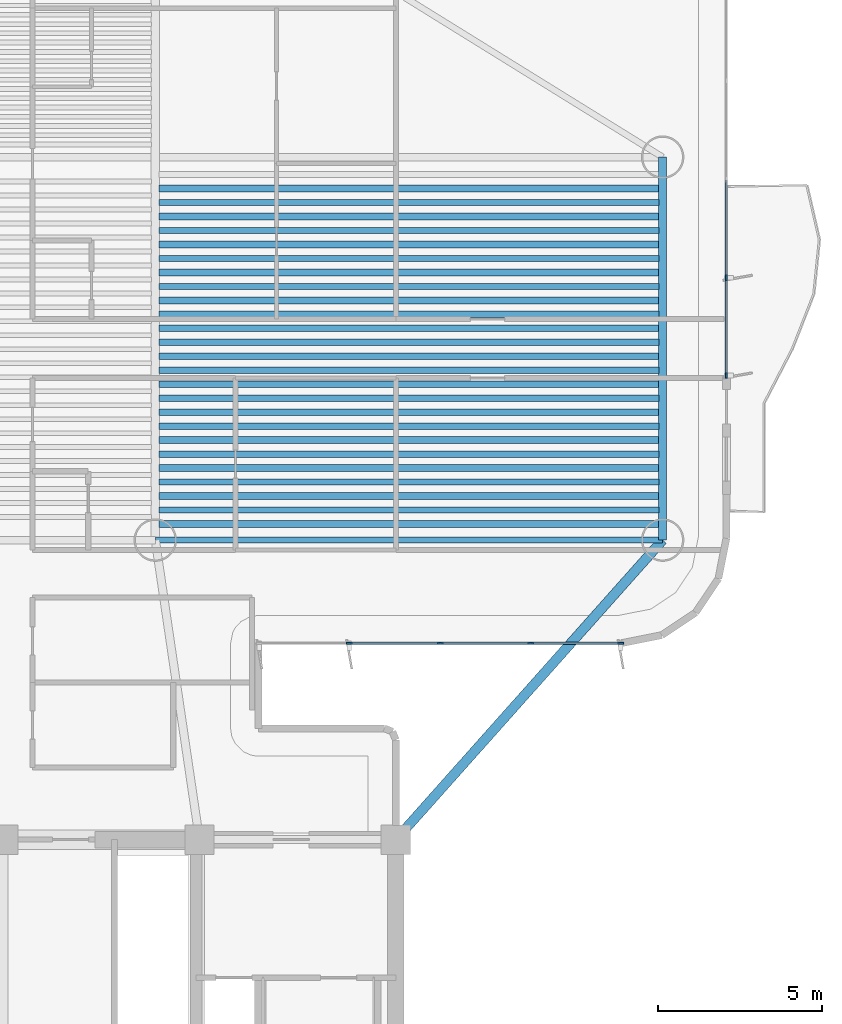
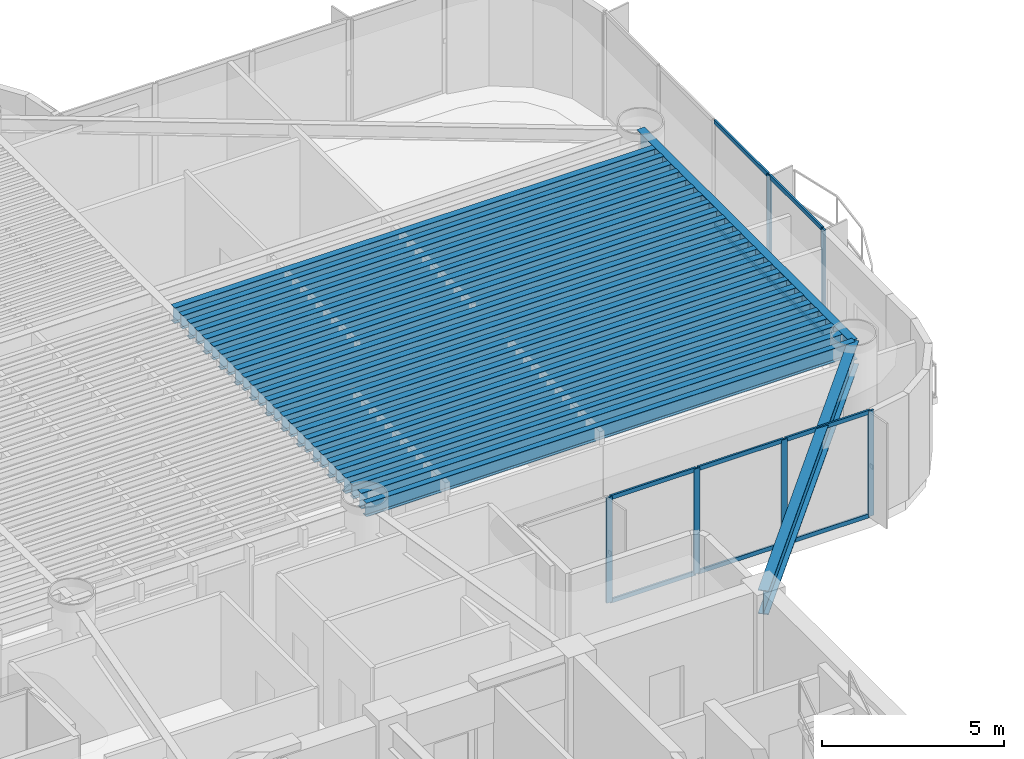
# One storey, part 4 of 17: 28 beams, 16 members, 2 elements without a shape of their own.
"""IFC4 building model written with IfcOpenShell, lengths in metres."""

import ifcopenshell
import ifcopenshell.guid

model = None  # the IFC model being written
_history = None  # IfcOwnerHistory: only IFC2X3 demands one
_inside = {}  # id of a spatial element -> (the spatial element, [elements in it])
_under = {}  # id of a project, library or spatial element -> (it, [spatial elements below it])
_declared = {}  # id of a project -> (the project, [libraries it declares])
_typed = {}  # id of a type object -> (the type object, [elements of that type])
_made_of = {}  # id of a material, layer set ... -> (it, [elements and type objects made of it])


def new_model(schema):
    """Start an empty IFC model of exactly this schema.

    Asked for "IFC4X3", IfcOpenShell would pick the latest addendum, in which some entities
    have other attributes; the version numbers below select the first issue.
    IFC2X3 requires an IfcOwnerHistory on every rooted entity: one is made here for all.
    """
    global model, _history
    if schema == "IFC4X3":
        model = ifcopenshell.file(schema_version=(4, 3, 0, 0))
    else:
        model = ifcopenshell.file(schema=schema)
    _inside.clear()
    _under.clear()
    _declared.clear()
    _typed.clear()
    _made_of.clear()
    _history = None
    if model.schema == "IFC2X3":
        org = make("IfcOrganization", Name="unknown")
        user = make(
            "IfcPersonAndOrganization",
            ThePerson=make("IfcPerson", FamilyName="unknown"),
            TheOrganization=org,
        )
        app = make(
            "IfcApplication",
            ApplicationDeveloper=org,
            Version="unknown",
            ApplicationFullName="unknown",
            ApplicationIdentifier="unknown",
        )
        _history = make(
            "IfcOwnerHistory",
            OwningUser=user,
            OwningApplication=app,
            ChangeAction="ADDED",
            CreationDate=0,
        )
    return model


def make(cls, **values):
    """One entity of the class cls with the attributes given. An attribute that is None is left unset."""
    return model.create_entity(
        cls, **{name: value for name, value in values.items() if value is not None}
    )


def rooted(cls, **values):
    """An entity with a GlobalId (a new one), such as an element, a storey or a relation."""
    return make(cls, GlobalId=ifcopenshell.guid.new(), OwnerHistory=_history, **values)


def si_unit(unit_type, name, prefix=None):
    """IfcSIUnit, for example si_unit("LENGTHUNIT", "METRE", prefix="MILLI")."""
    return make("IfcSIUnit", UnitType=unit_type, Prefix=prefix, Name=name)


def assignment(units):
    """IfcUnitAssignment: the units of a project."""
    return None if units is None else make("IfcUnitAssignment", Units=units)


def point(xyz):
    """IfcCartesianPoint."""
    return None if xyz is None else make("IfcCartesianPoint", Coordinates=xyz)


def direction(xyz):
    """IfcDirection."""
    return None if xyz is None else make("IfcDirection", DirectionRatios=xyz)


def frame(location, z_axis=None, x_axis=None):
    """IfcAxis2Placement3D, a coordinate frame: its origin and axes. An axis left out is left unset."""
    return make(
        "IfcAxis2Placement3D",
        Location=point(location),
        Axis=direction(z_axis),
        RefDirection=direction(x_axis),
    )


def frame_2d(location, x_axis=None):
    """IfcAxis2Placement2D, a coordinate frame in the plane: its origin and x axis."""
    return make(
        "IfcAxis2Placement2D", Location=point(location), RefDirection=direction(x_axis)
    )


def origin():
    """The frame at (0, 0, 0) with its axes left unset."""
    return frame((0.0, 0.0, 0.0))


def origin_2d():
    """The frame at (0, 0) in the plane with its x axis left unset."""
    return frame_2d((0.0, 0.0))


def place(relative_to, where):
    """IfcLocalPlacement: puts the frame where relative to a parent placement (None: the world)."""
    return make(
        "IfcLocalPlacement", PlacementRelTo=relative_to, RelativePlacement=where
    )


def context(
    kind, dimensions, precision=None, world=None, true_north=None, identifier=None
):
    """IfcGeometricRepresentationContext, for example the 3D "Model" context."""
    return make(
        "IfcGeometricRepresentationContext",
        ContextIdentifier=identifier,
        ContextType=kind,
        CoordinateSpaceDimension=dimensions,
        Precision=precision,
        WorldCoordinateSystem=world,
        TrueNorth=true_north,
    )


def subcontext(parent, identifier, kind, view, scale=None):
    """IfcGeometricRepresentationSubContext, for example "Body" below "Model"."""
    return make(
        "IfcGeometricRepresentationSubContext",
        ContextIdentifier=identifier,
        ContextType=kind,
        ParentContext=parent,
        TargetScale=scale,
        TargetView=view,
    )


def project(units=None, contexts=None):
    """IfcProject with its units and contexts."""
    return rooted(
        "IfcProject",
        Name="project",
        RepresentationContexts=contexts,
        UnitsInContext=assignment(units),
    )


def spatial(cls, under=None, at=None, **own):
    """A site, building, storey or space (cls), placed at a placement, below another one or the project."""
    s = rooted(cls, ObjectPlacement=at, **own)
    if under is not None:
        _under.setdefault(under.id(), (under, []))[1].append(s)
    return s


def profile(cls, at=None, kind="AREA", **sizes):
    """A parametric profile (cls). Its sizes go by their IFC names, for example OverallWidth=200.0."""
    return make(cls, ProfileType=kind, Position=at, **sizes)


def rectangle(**sizes):
    """IfcRectangleProfileDef."""
    return profile("IfcRectangleProfileDef", **sizes)


def i_section(**sizes):
    """IfcIShapeProfileDef."""
    return profile("IfcIShapeProfileDef", **sizes)


def extrude(swept, where, along, depth):
    """IfcExtrudedAreaSolid: the profile swept, set in the frame where, extruded along a direction by depth."""
    return make(
        "IfcExtrudedAreaSolid",
        SweptArea=swept,
        Position=where,
        ExtrudedDirection=direction(along),
        Depth=depth,
    )


def shape(context_of_items, identifier, shape_type, items):
    """IfcShapeRepresentation: the items that make up one representation, for example the "Body"."""
    return make(
        "IfcShapeRepresentation",
        ContextOfItems=context_of_items,
        RepresentationIdentifier=identifier,
        RepresentationType=shape_type,
        Items=items,
    )


def source(mapping_origin, context_of_items, identifier, shape_type, items):
    """IfcRepresentationMap: a shape defined once, which mapped items show again and again."""
    return make(
        "IfcRepresentationMap",
        MappingOrigin=mapping_origin,
        MappedRepresentation=shape(context_of_items, identifier, shape_type, items),
    )


def transform(
    local_origin,
    x_axis=None,
    y_axis=None,
    z_axis=None,
    scale=None,
    scale2=None,
    scale3=None,
    uniform=True,
):
    """IfcCartesianTransformationOperator3D, or its non-uniform kind. x_axis, y_axis, z_axis: its Axis1, 2, 3."""
    if uniform:
        return make(
            "IfcCartesianTransformationOperator3D",
            Axis1=direction(x_axis),
            Axis2=direction(y_axis),
            LocalOrigin=point(local_origin),
            Scale=scale,
            Axis3=direction(z_axis),
        )
    return make(
        "IfcCartesianTransformationOperator3DnonUniform",
        Axis1=direction(x_axis),
        Axis2=direction(y_axis),
        LocalOrigin=point(local_origin),
        Scale=scale,
        Axis3=direction(z_axis),
        Scale2=scale2,
        Scale3=scale3,
    )


def mapped(mapping_source, mapping_target):
    """IfcMappedItem: shows the shape of a source again, moved by a transform."""
    return make(
        "IfcMappedItem", MappingSource=mapping_source, MappingTarget=mapping_target
    )


def material(Name=None, Category=None):
    """IfcMaterial."""
    return make("IfcMaterial", Name=Name, Category=Category)


def layer(
    of_material, thickness, ventilated=None, Name=None, Category=None, Priority=None
):
    """IfcMaterialLayer: one layer of a wall or slab, of a material (None: an air gap)."""
    return make(
        "IfcMaterialLayer",
        Material=of_material,
        LayerThickness=thickness,
        IsVentilated=ventilated,
        Name=Name,
        Category=Category,
        Priority=Priority,
    )


def layer_set(layers, Name=None):
    """IfcMaterialLayerSet."""
    return make("IfcMaterialLayerSet", MaterialLayers=layers, LayerSetName=Name)


def material_profile(
    of_material, cross_section, Name=None, Category=None, Priority=None
):
    """IfcMaterialProfile: a cross section and its material."""
    return make(
        "IfcMaterialProfile",
        Name=Name,
        Material=of_material,
        Profile=cross_section,
        Priority=Priority,
        Category=Category,
    )


def profile_set(profiles, Name=None, composite=None):
    """IfcMaterialProfileSet."""
    return make(
        "IfcMaterialProfileSet",
        Name=Name,
        MaterialProfiles=profiles,
        CompositeProfile=composite,
    )


def made_of(thing, what):
    """Note that an element or type object is made of a material, layer set ...; save() writes the relation."""
    if what is not None:
        _made_of.setdefault(what.id(), (what, []))[1].append(thing)
    return thing


def type_object(cls, material=None, **own):
    """A type object (cls), such as IfcWallType, which elements share."""
    return made_of(rooted(cls, **own), material)


def element(
    cls,
    number,
    at=None,
    inside=None,
    cuts=None,
    type_object=None,
    material=None,
    context=None,
    identifier="Body",
    shape_type=None,
    held_by="IfcProductDefinitionShape",
    body=None,
    shapes=None,
    **own,
):
    """One element of the class cls, such as IfcWall. Its Tag is "e" and its number.

    at: its placement. inside: the storey or other place that contains it. cuts: it is an
    opening in that element (IfcRelVoidsElement). A single representation is given by context,
    identifier, shape_type and body (its items); several are given by shapes. held_by: the class
    of the entity that holds the representations. save() writes the other relations.
    """
    e = rooted(cls, Tag="e%d" % number, ObjectPlacement=at, **own)
    if body is not None:
        shapes = [shape(context, identifier, shape_type, body)]
    if shapes is not None:
        e.Representation = make(held_by, Representations=shapes)
    if inside is not None:
        _inside.setdefault(inside.id(), (inside, []))[1].append(e)
    if cuts is not None:
        rooted(
            "IfcRelVoidsElement", RelatingBuildingElement=cuts, RelatedOpeningElement=e
        )
    if type_object is not None:
        _typed.setdefault(type_object.id(), (type_object, []))[1].append(e)
    return made_of(e, material)


def aggregate(whole, parts):
    """IfcRelAggregates: a whole, such as a stair, and the parts it consists of."""
    return rooted("IfcRelAggregates", RelatingObject=whole, RelatedObjects=parts)


def save(model, path):
    """Write the relations noted so far, then the file.

    IfcRelAggregates (storeys below a building ...), IfcRelContainedInSpatialStructure (elements
    in a storey), IfcRelDefinesByType, IfcRelAssociatesMaterial and IfcRelDeclares: one each for
    every whole, place, type object, material and project.
    """
    for whole, parts in _under.values():
        aggregate(whole, parts)
    for where, things in _inside.values():
        rooted(
            "IfcRelContainedInSpatialStructure",
            RelatedElements=things,
            RelatingStructure=where,
        )
    for kind, things in _typed.values():
        rooted("IfcRelDefinesByType", RelatedObjects=things, RelatingType=kind)
    for what, things in _made_of.values():
        rooted("IfcRelAssociatesMaterial", RelatedObjects=things, RelatingMaterial=what)
    for by, libraries in _declared.values():
        rooted("IfcRelDeclares", RelatingContext=by, RelatedDefinitions=libraries)
    model.write(path)


model = new_model("IFC4")

# Units and contexts
model_context = context("Model", 3, precision=1e-05, world=origin(), true_north=direction((0.0, 1.0)))
body_context = subcontext(model_context, "Body", "Model", "MODEL_VIEW")
ifc_project = project(units=[si_unit("LENGTHUNIT", "METRE"), si_unit("AREAUNIT", "SQUARE_METRE"), si_unit("VOLUMEUNIT", "CUBIC_METRE"), si_unit("PLANEANGLEUNIT", "RADIAN"), si_unit("MASSUNIT", "GRAM", prefix="KILO")], contexts=[model_context])

# Site, building, storey
site_placement = place(None, origin())
site = spatial("IfcSite", under=ifc_project, at=site_placement, CompositionType="ELEMENT")
building_placement = place(site_placement, origin())
building = spatial("IfcBuilding", under=site, at=building_placement, Name="Brelvock Crest Care Tower", CompositionType="ELEMENT")
storey_placement = place(building_placement, frame((0.0, 0.0, 89.820068359375)))
storey = spatial("IfcBuildingStorey", under=building, at=storey_placement, Name="L22", CompositionType="ELEMENT", Elevation=89.820068359375)

# Beams
ifc_material_1 = material(Name="Steel Grade 350", Category="steel")
ifc_material_profile_1 = material_profile(ifc_material_1, i_section(OverallWidth=0.208984375, OverallDepth=0.532958984375, WebThickness=0.01025390625, FlangeThickness=0.015625, FilletRadius=0.013916015625, at=origin_2d()), Name="530UB92.4")
ifc_profile_set_1 = profile_set([ifc_material_profile_1], Name="Steel Grade 350")
beam_type_1 = type_object("IfcBeamType", Name="BM-G2", PredefinedType="BEAM", material=ifc_profile_set_1)
shared_shape_1 = source(origin(), body_context, "Body", "SweptSolid", [
    extrude(i_section(OverallWidth=0.208984375, OverallDepth=0.532958984375, WebThickness=0.01025390625, FlangeThickness=0.015625, FilletRadius=0.013916015625, at=origin_2d()), origin(), (0.0, 0.0, 1.0), 15.27001953125),
])
for number, where, z_axis, x_axis, name in (
    (1, (40.764892578125, 27.641357421875, 3.263427734375), (1.0, 0.0, 0.0), (0.0, 1.0, 0.0), "BM-JE-L22-1"),
    (2, (40.764892578125, 28.49560546875, 3.263427734375), (1.0, 0.0, 0.0), (0.0, 1.0, 0.0), "BM-JE-L22-3"),
    (3, (40.764892578125, 29.349609375, 3.263427734375), (1.0, 0.0, 0.0), (0.0, 1.0, 0.0), "BM-JE-L22-5"),
    (4, (40.764892578125, 30.20361328125, 3.263427734375), (1.0, 0.0, 0.0), (0.0, 1.0, 0.0), "BM-JE-L22-7"),
    (5, (40.764892578125, 31.057861328125, 3.263427734375), (1.0, 0.0, 0.0), (0.0, 1.0, 0.0), "BM-JE-L22-9"),
    (6, (40.764892578125, 31.911865234375, 3.263427734375), (1.0, 0.0, 0.0), (0.0, 1.0, 0.0), "BM-JE-L22-11"),
    (7, (40.764892578125, 32.76611328125, 3.263427734375), (1.0, 0.0, 0.0), (0.0, 1.0, 0.0), "BM-JE-L22-13"),
    (8, (40.764892578125, 33.6201171875, 3.263427734375), (1.0, 0.0, 0.0), (0.0, 1.0, 0.0), "BM-JE-L22-15"),
    (9, (40.764892578125, 34.47412109375, 3.263427734375), (1.0, 0.0, 0.0), (0.0, 1.0, 0.0), "BM-JE-L22-17"),
    (10, (40.764892578125, 35.328369140625, 3.263427734375), (1.0, 0.0, 0.0), (0.0, 1.0, 0.0), "BM-JE-L22-19"),
    (11, (40.764892578125, 36.182373046875, 3.263427734375), (1.0, 0.0, 0.0), (0.0, 1.0, 0.0), "BM-JE-L22-21"),
    (12, (40.764892578125, 37.03662109375, 3.263427734375), (1.0, 0.0, 0.0), (0.0, 1.0, 0.0), "BM-JE-L22-23"),
    (13, (40.764892578125, 37.890625, 3.263427734375), (1.0, 0.0, 0.0), (0.0, 1.0, 0.0), "BM-JE-L22-25"),
):
    element("IfcBeam", number, at=place(storey_placement, frame(where, z_axis=z_axis, x_axis=x_axis)), inside=storey, type_object=beam_type_1, Name=name, PredefinedType="BEAM", context=body_context, shape_type="MappedRepresentation", body=[
        mapped(shared_shape_1, transform((0.0, 0.0, 0.0), x_axis=(1.0, 0.0, 0.0), y_axis=(0.0, 1.0, 0.0), z_axis=(0.0, 0.0, 1.0), scale=1.0)),
    ])
ifc_material_profile_2 = material_profile(ifc_material_1, i_section(OverallWidth=0.19091796875, OverallDepth=0.4599609375, WebThickness=0.010009765625, FlangeThickness=0.01611328125, FilletRadius=0.011474609375, at=origin_2d()), Name="460UB82.1")
ifc_profile_set_2 = profile_set([ifc_material_profile_2], Name="Steel Grade 350")
beam_type_2 = type_object("IfcBeamType", Name="BM-G3", PredefinedType="BEAM", material=ifc_profile_set_2)
shared_shape_2 = source(origin(), body_context, "Body", "SweptSolid", [
    extrude(i_section(OverallWidth=0.19091796875, OverallDepth=0.4599609375, WebThickness=0.010009765625, FlangeThickness=0.01611328125, FilletRadius=0.011474609375, at=origin_2d()), origin(), (0.0, 0.0, 1.0), 15.27001953125),
])
for number, where, z_axis, x_axis, name in (
    (14, (40.764892578125, 28.068359375, 3.300048828125), (1.0, 0.0, 0.0), (0.0, 1.0, 0.0), "BM-JE-L22-2"),
    (15, (40.764892578125, 28.922607421875, 3.300048828125), (1.0, 0.0, 0.0), (0.0, 1.0, 0.0), "BM-JE-L22-4"),
    (16, (40.764892578125, 29.776611328125, 3.300048828125), (1.0, 0.0, 0.0), (0.0, 1.0, 0.0), "BM-JE-L22-6"),
    (17, (40.764892578125, 30.630615234375, 3.300048828125), (1.0, 0.0, 0.0), (0.0, 1.0, 0.0), "BM-JE-L22-8"),
    (18, (40.764892578125, 31.48486328125, 3.300048828125), (1.0, 0.0, 0.0), (0.0, 1.0, 0.0), "BM-JE-L22-10"),
    (19, (40.764892578125, 32.3388671875, 3.300048828125), (1.0, 0.0, 0.0), (0.0, 1.0, 0.0), "BM-JE-L22-12"),
    (20, (40.764892578125, 33.193115234375, 3.300048828125), (1.0, 0.0, 0.0), (0.0, 1.0, 0.0), "BM-JE-L22-14"),
    (21, (40.764892578125, 34.047119140625, 3.300048828125), (1.0, 0.0, 0.0), (0.0, 1.0, 0.0), "BM-JE-L22-16"),
    (22, (40.764892578125, 34.901123046875, 3.300048828125), (1.0, 0.0, 0.0), (0.0, 1.0, 0.0), "BM-JE-L22-18"),
    (23, (40.764892578125, 35.75537109375, 3.300048828125), (1.0, 0.0, 0.0), (0.0, 1.0, 0.0), "BM-JE-L22-20"),
    (24, (40.764892578125, 36.609619140625, 3.300048828125), (1.0, 0.0, 0.0), (0.0, 1.0, 0.0), "BM-JE-L22-22"),
    (25, (40.764892578125, 37.46337890625, 3.300048828125), (1.0, 0.0, 0.0), (0.0, 1.0, 0.0), "BM-JE-L22-24"),
):
    element("IfcBeam", number, at=place(storey_placement, frame(where, z_axis=z_axis, x_axis=x_axis)), inside=storey, type_object=beam_type_2, Name=name, PredefinedType="BEAM", context=body_context, shape_type="MappedRepresentation", body=[
        mapped(shared_shape_2, transform((0.0, 0.0, 0.0), x_axis=(1.0, 0.0, 0.0), y_axis=(0.0, 1.0, 0.0), z_axis=(0.0, 0.0, 1.0), scale=1.0)),
    ])
ifc_material_profile_3 = material_profile(ifc_material_1, i_section(OverallWidth=0.25, OverallDepth=0.699951171875, WebThickness=0.011962890625, FlangeThickness=0.02001953125, at=origin_2d()), Name="700WB150")
ifc_profile_set_3 = profile_set([ifc_material_profile_3], Name="Steel Grade 350")
beam_type_3 = type_object("IfcBeamType", Name="BM-G4", PredefinedType="BEAM", material=ifc_profile_set_3)
shared_shape_3 = source(origin(), body_context, "Body", "SweptSolid", [
    extrude(i_section(OverallWidth=0.25, OverallDepth=0.699951171875, WebThickness=0.011962890625, FlangeThickness=0.02001953125, at=origin_2d()), origin(), (0.0, 0.0, 1.0), 11.7001953125),
])
beam_1_placement = place(storey_placement, frame((56.14990234375, 27.14990234375, 3.179931640625), z_axis=(0.0, 1.0, 0.0), x_axis=(-1.0, 0.0, 0.0)))
element("IfcBeam", 26, at=beam_1_placement, inside=storey, type_object=beam_type_3, Name="BM-TWR-L22-02", PredefinedType="BEAM", context=body_context, shape_type="MappedRepresentation", body=[
    mapped(shared_shape_3, transform((0.0, 0.0, 0.0), x_axis=(1.0, 0.0, 0.0), y_axis=(0.0, 1.0, 0.0), z_axis=(0.0, 0.0, 1.0), scale=1.0)),
])
ifc_material_profile_4 = material_profile(ifc_material_1, i_section(OverallWidth=0.19091796875, OverallDepth=0.4599609375, WebThickness=0.010009765625, FlangeThickness=0.01611328125, FilletRadius=0.011474609375, at=origin_2d()), Name="460UB82.1")
ifc_profile_set_4 = profile_set([ifc_material_profile_4], Name="Steel Grade 350")
beam_type_4 = type_object("IfcBeamType", Name="BM-SP2", PredefinedType="SPANDREL", material=ifc_profile_set_4)
shared_shape_4 = source(origin(), body_context, "Body", "SweptSolid", [
    extrude(i_section(OverallWidth=0.19091796875, OverallDepth=0.4599609375, WebThickness=0.010009765625, FlangeThickness=0.01611328125, FilletRadius=0.011474609375, at=origin_2d()), origin(), (0.0, 0.0, 1.0), 15.5),
])
beam_2_placement = place(storey_placement, frame((40.64990234375, 27.14990234375, 3.300048828125), z_axis=(1.0, 0.0, 0.0), x_axis=(0.0, 1.0, 0.0)))
element("IfcBeam", 27, at=beam_2_placement, inside=storey, type_object=beam_type_4, Name="BM-TWR-L22-04", PredefinedType="SPANDREL", context=body_context, shape_type="MappedRepresentation", body=[
    mapped(shared_shape_4, transform((0.0, 0.0, 0.0), x_axis=(1.0, 0.0, 0.0), y_axis=(0.0, 1.0, 0.0), z_axis=(0.0, 0.0, 1.0), scale=1.0)),
])
ifc_material_profile_5 = material_profile(ifc_material_1, i_section(OverallWidth=0.300048828125, OverallDepth=0.800048828125, WebThickness=0.013916015625, FlangeThickness=0.02197265625, at=origin_2d()), Name="800WB192")
ifc_profile_set_5 = profile_set([ifc_material_profile_5], Name="Steel Grade 350")
beam_type_5 = type_object("IfcBeamType", Name="BM-G5", PredefinedType="BEAM", material=ifc_profile_set_5)
shared_shape_5 = source(origin(), body_context, "Body", "SweptSolid", [
    extrude(i_section(OverallWidth=0.300048828125, OverallDepth=0.800048828125, WebThickness=0.013916015625, FlangeThickness=0.02197265625, at=origin_2d()), origin(), (0.0, 0.0, 1.0), 12.253173828125),
])
beam_3_placement = place(storey_placement, frame((48.0, 18.0, 3.1298828125), z_axis=(0.665122829149, 0.746733970129, 0.0), x_axis=(-0.746733970129, 0.665122829149, 0.0)))
element("IfcBeam", 28, at=beam_3_placement, inside=storey, type_object=beam_type_5, Name="BM-THRO-E-L22", PredefinedType="BEAM", context=body_context, shape_type="MappedRepresentation", body=[
    mapped(shared_shape_5, transform((0.0, 0.0, 0.0), x_axis=(1.0, 0.0, 0.0), y_axis=(0.0, 1.0, 0.0), z_axis=(0.0, 0.0, 1.0), scale=1.0)),
])

# Curtain wall, members
ifc_material_2 = material(Name="Dark Glass Double Glazed Low-E", Category="glass")
ifc_layer = layer(ifc_material_2, 0.2099609375, Name="CWS-3")
ifc_layer_set = layer_set([ifc_layer], Name="Dark Glass Double Glazed Low-E")
curtain_wall_type = type_object("IfcCurtainWallType", Name="CWS-3", PredefinedType="NOTDEFINED", material=ifc_layer_set)
curtain_wall_1_placement = place(storey_placement, origin())
curtain_wall_1 = element("IfcCurtainWall", 29, at=curtain_wall_1_placement, inside=storey, type_object=curtain_wall_type, Name="L22 Curtain Wall E39A", PredefinedType="NOTDEFINED")
ifc_material_3 = material(Name="Aluminium 6063-T6", Category="aluminium")
ifc_material_profile_6 = material_profile(ifc_material_3, rectangle(XDim=0.06005859375, YDim=0.179931640625, at=origin_2d()), Name="ALU60x180")
ifc_profile_set_6 = profile_set([ifc_material_profile_6], Name="Aluminium 6063-T6")
member_type_1 = type_object("IfcMemberType", Name="CWM-2", PredefinedType="MULLION", material=ifc_profile_set_6)
shared_shape_6 = source(origin(), body_context, "Body", "SweptSolid", [
    extrude(rectangle(XDim=0.06005859375, YDim=0.179931640625, at=origin_2d()), origin(), (0.0, 0.0, 1.0), 3.530029296875),
])
member_1_placement = place(storey_placement, frame((58.10009765625, 35.16259765625, 0.0), z_axis=(0.0, 0.0, 1.0), x_axis=(1.0, 0.0, 0.0)))
member_1 = element("IfcMember", 30, at=member_1_placement, type_object=member_type_1, Name="CW-3 mullion 4", PredefinedType="MULLION", context=body_context, shape_type="MappedRepresentation", body=[
    mapped(shared_shape_6, transform((0.0, 0.0, 0.0), x_axis=(1.0, 0.0, 0.0), y_axis=(0.0, 1.0, 0.0), z_axis=(0.0, 0.0, 1.0), scale=1.0)),
])
member_2_placement = place(storey_placement, frame((58.10009765625, 32.179931640625, 0.0), z_axis=(0.0, 0.0, 1.0), x_axis=(1.0, 0.0, 0.0)))
member_2 = element("IfcMember", 31, at=member_2_placement, type_object=member_type_1, Name="CW-3 mullion 5", PredefinedType="MULLION", context=body_context, shape_type="MappedRepresentation", body=[
    mapped(shared_shape_6, transform((0.0, 0.0, 0.0), x_axis=(1.0, 0.0, 0.0), y_axis=(0.0, 1.0, 0.0), z_axis=(0.0, 0.0, 1.0), scale=1.0)),
])

curtain_wall_2_placement = place(storey_placement, origin())
curtain_wall_2 = element("IfcCurtainWall", 32, at=curtain_wall_2_placement, inside=storey, type_object=curtain_wall_type, Name="L22 Curtain Wall E44", PredefinedType="NOTDEFINED")
member_3_placement = place(storey_placement, frame((54.8701171875, 24.0, 0.0), z_axis=(0.0, 0.0, 1.0), x_axis=(0.0, -1.0, 0.0)))
member_3 = element("IfcMember", 33, at=member_3_placement, type_object=member_type_1, Name="CW-3 mullion 1", PredefinedType="MULLION", context=body_context, shape_type="MappedRepresentation", body=[
    mapped(shared_shape_6, transform((0.0, 0.0, 0.0), x_axis=(1.0, 0.0, 0.0), y_axis=(0.0, 1.0, 0.0), z_axis=(0.0, 0.0, 1.0), scale=1.0)),
])
member_4_placement = place(storey_placement, frame((52.125, 24.0, 0.0), z_axis=(0.0, 0.0, 1.0), x_axis=(0.0, -1.0, 0.0)))
member_4 = element("IfcMember", 34, at=member_4_placement, type_object=member_type_1, Name="CW-3 mullion 2", PredefinedType="MULLION", context=body_context, shape_type="MappedRepresentation", body=[
    mapped(shared_shape_6, transform((0.0, 0.0, 0.0), x_axis=(1.0, 0.0, 0.0), y_axis=(0.0, 1.0, 0.0), z_axis=(0.0, 0.0, 1.0), scale=1.0)),
])
member_5_placement = place(storey_placement, frame((49.35009765625, 24.0, 0.0), z_axis=(0.0, 0.0, 1.0), x_axis=(0.0, -1.0, 0.0)))
member_5 = element("IfcMember", 35, at=member_5_placement, type_object=member_type_1, Name="CW-3 mullion 3", PredefinedType="MULLION", context=body_context, shape_type="MappedRepresentation", body=[
    mapped(shared_shape_6, transform((0.0, 0.0, 0.0), x_axis=(1.0, 0.0, 0.0), y_axis=(0.0, 1.0, 0.0), z_axis=(0.0, 0.0, 1.0), scale=1.0)),
])
member_6_placement = place(storey_placement, frame((46.574951171875, 24.0, 0.0), z_axis=(0.0, 0.0, 1.0), x_axis=(0.0, -1.0, 0.0)))
member_6 = element("IfcMember", 36, at=member_6_placement, type_object=member_type_1, Name="CW-3 mullion 4", PredefinedType="MULLION", context=body_context, shape_type="MappedRepresentation", body=[
    mapped(shared_shape_6, transform((0.0, 0.0, 0.0), x_axis=(1.0, 0.0, 0.0), y_axis=(0.0, 1.0, 0.0), z_axis=(0.0, 0.0, 1.0), scale=1.0)),
])
ifc_material_profile_7 = material_profile(ifc_material_3, rectangle(XDim=0.06005859375, YDim=0.139892578125, at=origin_2d()), Name="ALU60x140")
ifc_profile_set_7 = profile_set([ifc_material_profile_7], Name="Aluminium 6063-T6")
member_type_2 = type_object("IfcMemberType", Name="CWT-2", PredefinedType="USERDEFINED", material=ifc_profile_set_7)
shared_shape_7 = source(origin(), body_context, "Body", "SweptSolid", [
    extrude(rectangle(XDim=0.06005859375, YDim=0.139892578125, at=origin_2d()), origin(), (0.0, 0.0, 1.0), 2.715087890625),
])
member_7_placement = place(storey_placement, frame((52.094970703125, 24.0, 0.030029296875), z_axis=(-1.0, 0.0, 0.0), x_axis=(0.0, -1.0, 0.0)))
member_7 = element("IfcMember", 37, at=member_7_placement, type_object=member_type_2, Name="CW-3 transom 2.1", ObjectType="TRANSOM", PredefinedType="USERDEFINED", context=body_context, shape_type="MappedRepresentation", body=[
    mapped(shared_shape_7, transform((0.0, 0.0, 0.0), x_axis=(1.0, 0.0, 0.0), y_axis=(0.0, 1.0, 0.0), z_axis=(0.0, 0.0, 1.0), scale=1.0)),
])
member_8_placement = place(storey_placement, frame((52.094970703125, 24.0, 3.5), z_axis=(-1.0, 0.0, 0.0), x_axis=(0.0, -1.0, 0.0)))
member_8 = element("IfcMember", 38, at=member_8_placement, type_object=member_type_2, Name="CW-3 transom 2.2", ObjectType="TRANSOM", PredefinedType="USERDEFINED", context=body_context, shape_type="MappedRepresentation", body=[
    mapped(shared_shape_7, transform((0.0, 0.0, 0.0), x_axis=(1.0, 0.0, 0.0), y_axis=(0.0, 1.0, 0.0), z_axis=(0.0, 0.0, 1.0), scale=1.0)),
])
member_9_placement = place(storey_placement, frame((49.320068359375, 24.0, 0.030029296875), z_axis=(-1.0, 0.0, 0.0), x_axis=(0.0, -1.0, 0.0)))
member_9 = element("IfcMember", 39, at=member_9_placement, type_object=member_type_2, Name="CW-3 transom 3.1", ObjectType="TRANSOM", PredefinedType="USERDEFINED", context=body_context, shape_type="MappedRepresentation", body=[
    mapped(shared_shape_7, transform((0.0, 0.0, 0.0), x_axis=(1.0, 0.0, 0.0), y_axis=(0.0, 1.0, 0.0), z_axis=(0.0, 0.0, 1.0), scale=1.0)),
])
member_10_placement = place(storey_placement, frame((49.320068359375, 24.0, 3.5), z_axis=(-1.0, 0.0, 0.0), x_axis=(0.0, -1.0, 0.0)))
member_10 = element("IfcMember", 40, at=member_10_placement, type_object=member_type_2, Name="CW-3 transom 3.2", ObjectType="TRANSOM", PredefinedType="USERDEFINED", context=body_context, shape_type="MappedRepresentation", body=[
    mapped(shared_shape_7, transform((0.0, 0.0, 0.0), x_axis=(1.0, 0.0, 0.0), y_axis=(0.0, 1.0, 0.0), z_axis=(0.0, 0.0, 1.0), scale=1.0)),
])
shared_shape_8 = source(origin(), body_context, "Body", "SweptSolid", [
    extrude(rectangle(XDim=0.06005859375, YDim=0.139892578125, at=origin_2d()), origin(), (0.0, 0.0, 1.0), 2.68505859375),
])
member_11_placement = place(storey_placement, frame((54.840087890625, 24.0, 0.030029296875), z_axis=(-1.0, 0.0, 0.0), x_axis=(0.0, -1.0, 0.0)))
member_11 = element("IfcMember", 41, at=member_11_placement, type_object=member_type_2, Name="CW-3 transom 1.1", ObjectType="TRANSOM", PredefinedType="USERDEFINED", context=body_context, shape_type="MappedRepresentation", body=[
    mapped(shared_shape_8, transform((0.0, 0.0, 0.0), x_axis=(1.0, 0.0, 0.0), y_axis=(0.0, 1.0, 0.0), z_axis=(0.0, 0.0, 1.0), scale=1.0)),
])
member_12_placement = place(storey_placement, frame((54.840087890625, 24.0, 3.5), z_axis=(-1.0, 0.0, 0.0), x_axis=(0.0, -1.0, 0.0)))
member_12 = element("IfcMember", 42, at=member_12_placement, type_object=member_type_2, Name="CW-3 transom 1.2", ObjectType="TRANSOM", PredefinedType="USERDEFINED", context=body_context, shape_type="MappedRepresentation", body=[
    mapped(shared_shape_8, transform((0.0, 0.0, 0.0), x_axis=(1.0, 0.0, 0.0), y_axis=(0.0, 1.0, 0.0), z_axis=(0.0, 0.0, 1.0), scale=1.0)),
])
aggregate(curtain_wall_2, [member_3, member_4, member_5, member_6, member_11, member_12, member_7, member_8, member_9, member_10])

# Member
shared_shape_9 = source(origin(), body_context, "Body", "SweptSolid", [
    extrude(rectangle(XDim=0.06005859375, YDim=0.139892578125, at=origin_2d()), origin(), (0.0, 0.0, 1.0), 2.922607421875),
])
member_13_placement = place(storey_placement, frame((58.10009765625, 35.132568359375, 0.030029296875), z_axis=(0.0, -1.0, 0.0), x_axis=(1.0, 0.0, 0.0)))
member_13 = element("IfcMember", 43, at=member_13_placement, type_object=member_type_2, Name="CW-3 transom 4.1", ObjectType="TRANSOM", PredefinedType="USERDEFINED", context=body_context, shape_type="MappedRepresentation", body=[
    mapped(shared_shape_9, transform((0.0, 0.0, 0.0), x_axis=(1.0, 0.0, 0.0), y_axis=(0.0, 1.0, 0.0), z_axis=(0.0, 0.0, 1.0), scale=1.0)),
])

member_14_placement = place(storey_placement, frame((58.10009765625, 35.132568359375, 3.5), z_axis=(0.0, -1.0, 0.0), x_axis=(1.0, 0.0, 0.0)))
member_14 = element("IfcMember", 44, at=member_14_placement, type_object=member_type_2, Name="CW-3 transom 4.2", ObjectType="TRANSOM", PredefinedType="USERDEFINED", context=body_context, shape_type="MappedRepresentation", body=[
    mapped(shared_shape_9, transform((0.0, 0.0, 0.0), x_axis=(1.0, 0.0, 0.0), y_axis=(0.0, 1.0, 0.0), z_axis=(0.0, 0.0, 1.0), scale=1.0)),
])

shared_shape_10 = source(origin(), body_context, "Body", "SweptSolid", [
    extrude(rectangle(XDim=0.06005859375, YDim=0.139892578125, at=origin_2d()), origin(), (0.0, 0.0, 1.0), 2.95263671875),
])
member_15_placement = place(storey_placement, frame((58.10009765625, 38.14501953125, 0.030029296875), z_axis=(0.0, -1.0, 0.0), x_axis=(1.0, 0.0, 0.0)))
member_15 = element("IfcMember", 45, at=member_15_placement, type_object=member_type_2, Name="CW-3 transom 3.1", ObjectType="TRANSOM", PredefinedType="USERDEFINED", context=body_context, shape_type="MappedRepresentation", body=[
    mapped(shared_shape_10, transform((0.0, 0.0, 0.0), x_axis=(1.0, 0.0, 0.0), y_axis=(0.0, 1.0, 0.0), z_axis=(0.0, 0.0, 1.0), scale=1.0)),
])

member_16_placement = place(storey_placement, frame((58.10009765625, 38.14501953125, 3.5), z_axis=(0.0, -1.0, 0.0), x_axis=(1.0, 0.0, 0.0)))
member_16 = element("IfcMember", 46, at=member_16_placement, type_object=member_type_2, Name="CW-3 transom 3.2", ObjectType="TRANSOM", PredefinedType="USERDEFINED", context=body_context, shape_type="MappedRepresentation", body=[
    mapped(shared_shape_10, transform((0.0, 0.0, 0.0), x_axis=(1.0, 0.0, 0.0), y_axis=(0.0, 1.0, 0.0), z_axis=(0.0, 0.0, 1.0), scale=1.0)),
])

aggregate(curtain_wall_1, [member_1, member_2, member_15, member_16, member_13, member_14])

save(model, "model.ifc")
